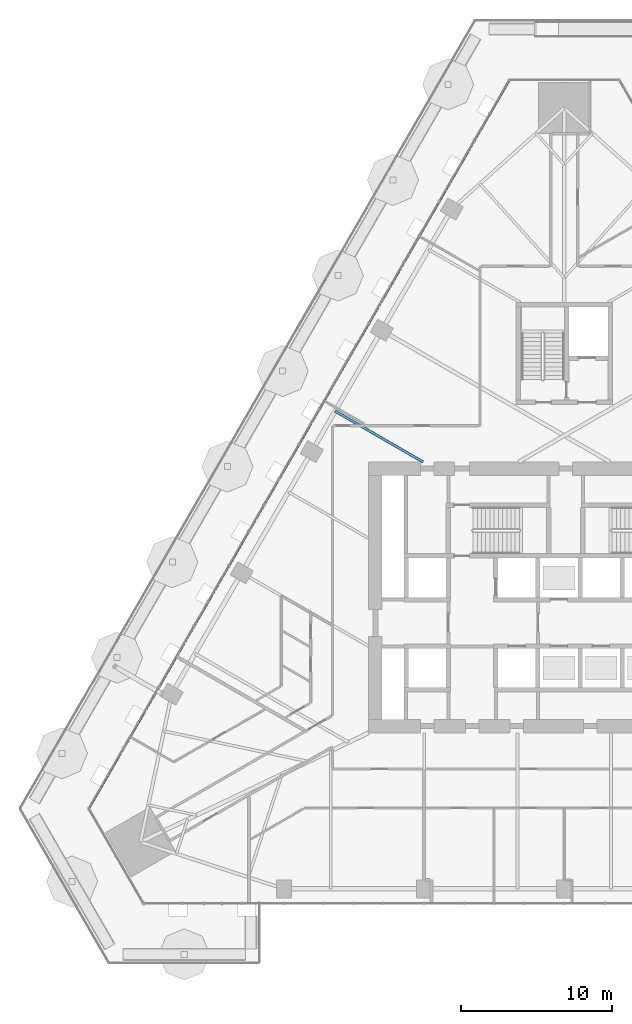
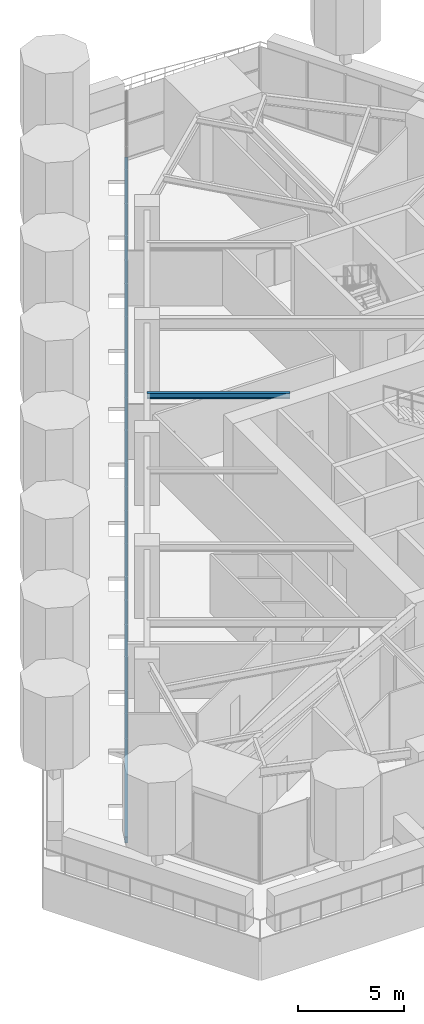
# One storey, part 8 of 25: 1 beam, 1 member, 1 element without a shape of its own.
"""IFC4 building model written with IfcOpenShell, lengths in metres."""

from ifc_helpers import new_model, si_unit, direction, frame, origin, origin_2d, place, context, subcontext, project, spatial, rectangle, i_section, extrude, material, layer, layer_set, material_profile, profile_set, type_object, element, aggregate, save


model = new_model("IFC4")

# Units and contexts
model_context = context("Model", 3, precision=1e-05, world=origin(), true_north=direction((0.0, 1.0)))
body_context = subcontext(model_context, "Body", "Model", "MODEL_VIEW")
ifc_project = project(units=[si_unit("LENGTHUNIT", "METRE"), si_unit("AREAUNIT", "SQUARE_METRE"), si_unit("VOLUMEUNIT", "CUBIC_METRE"), si_unit("PLANEANGLEUNIT", "RADIAN"), si_unit("MASSUNIT", "GRAM", prefix="KILO")], contexts=[model_context])

# Site, building, storey
site_placement = place(None, origin())
site = spatial("IfcSite", under=ifc_project, at=site_placement, CompositionType="ELEMENT")
building_placement = place(site_placement, origin())
building = spatial("IfcBuilding", under=site, at=building_placement, Name="Firuza Gate Tower and Library", CompositionType="ELEMENT")
storey_placement = place(building_placement, frame((0.0, 0.0, 119.800048828125)))
storey = spatial("IfcBuildingStorey", under=building, at=storey_placement, Name="L27", CompositionType="ELEMENT", Elevation=119.800048828125)

# Curtain wall, member
ifc_material_1 = material(Name="Aluminium 6063-T6", Category="aluminium")
ifc_layer = layer(ifc_material_1, 0.14990234375)
ifc_layer_set = layer_set([ifc_layer], Name="Unitised curtain wall, offices")
curtain_wall_type = type_object("IfcCurtainWallType", Name="Unitised curtain wall, offices", PredefinedType="NOTDEFINED", material=ifc_layer_set)
curtain_wall_placement = place(storey_placement, origin())
curtain_wall = element("IfcCurtainWall", 1, at=curtain_wall_placement, inside=storey, type_object=curtain_wall_type, Name="CW1 L27 W face", PredefinedType="NOTDEFINED")
ifc_material_2 = material(Name="Aluminium 6063-T6", Category="aluminium")
ifc_material_profile_1 = material_profile(ifc_material_2, rectangle(XDim=0.14990234375, YDim=0.35009765625, at=origin_2d()))
ifc_profile_set_1 = profile_set([ifc_material_profile_1], Name="Aluminium 6063-T6")
member_type = type_object("IfcMemberType", Name="Curtain wall transom 350x150", PredefinedType="USERDEFINED", material=ifc_profile_set_1)
member_placement = place(storey_placement, frame((71.356689453125, 109.38720703125, -0.025146484375), z_axis=(-0.499999989377, -0.866025409918, 0.0), x_axis=(0.866025409918, -0.499999989377, 0.0)))
member = element("IfcMember", 2, at=member_placement, type_object=member_type, Name="Transom", ObjectType="TRANSOM", PredefinedType="USERDEFINED", context=body_context, shape_type="SweptSolid", body=[
    extrude(rectangle(XDim=0.14990234375, YDim=0.35009765625, at=origin_2d()), origin(), (0.0, 0.0, 1.0), 55.9169921875),
])
aggregate(curtain_wall, [member])

# Beam
ifc_material_3 = material(Name="Steel S355", Category="steel")
ifc_material_profile_2 = material_profile(ifc_material_3, i_section(OverallWidth=0.1650390625, OverallDepth=0.31005859375, WebThickness=0.005859375, FlangeThickness=0.009765625, at=origin_2d()))
ifc_profile_set_2 = profile_set([ifc_material_profile_2], Name="Steel S355")
beam_type = type_object("IfcBeamType", Name="W310x39 Floor beam", PredefinedType="JOIST", material=ifc_profile_set_2)
beam_placement = place(storey_placement, frame((59.772705078125, 87.373046875, 3.844970703125), z_axis=(0.866025277505, -0.500000218722, 0.0), x_axis=(0.500000218722, 0.866025277505, 0.0)))
element("IfcBeam", 3, at=beam_placement, inside=storey, type_object=beam_type, Name="Floor beam L27 s82", PredefinedType="JOIST", context=body_context, shape_type="SweptSolid", body=[
    extrude(i_section(OverallWidth=0.1650390625, OverallDepth=0.31005859375, WebThickness=0.005859375, FlangeThickness=0.009765625, at=origin_2d()), origin(), (0.0, 0.0, 1.0), 6.74609375),
])

save(model, "model.ifc")
